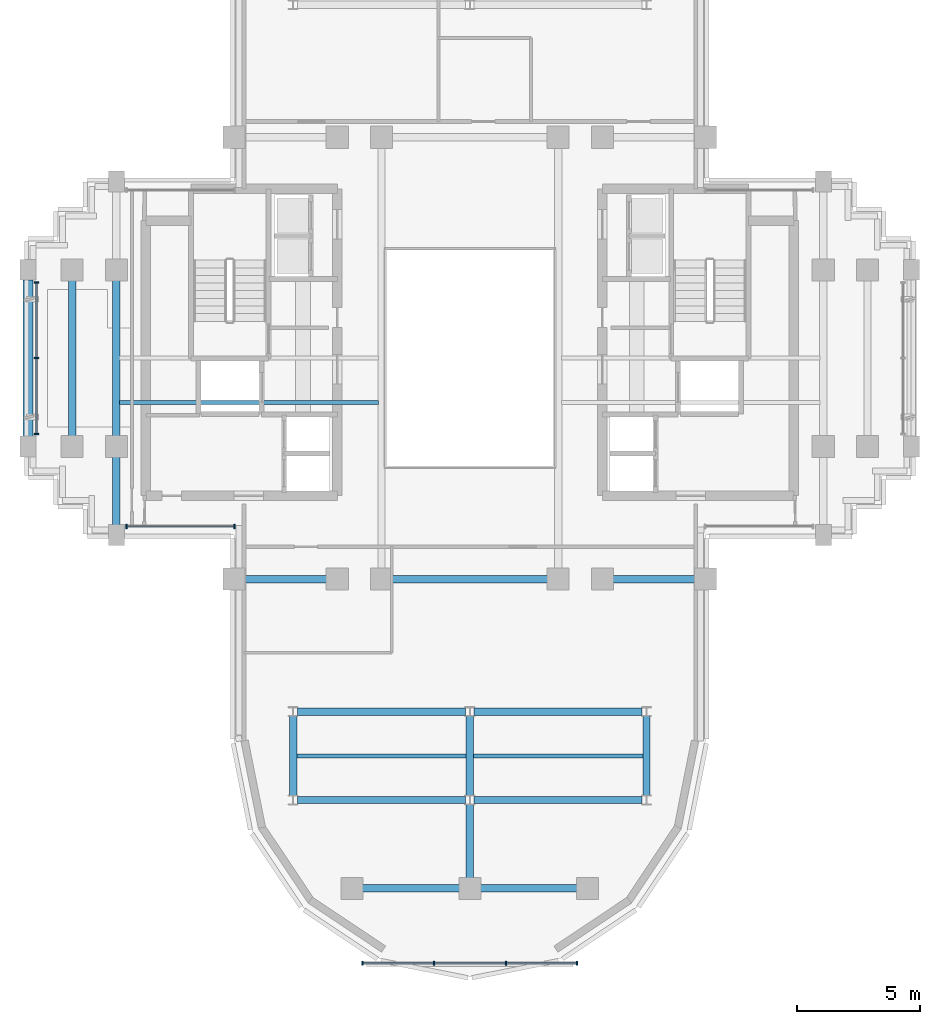
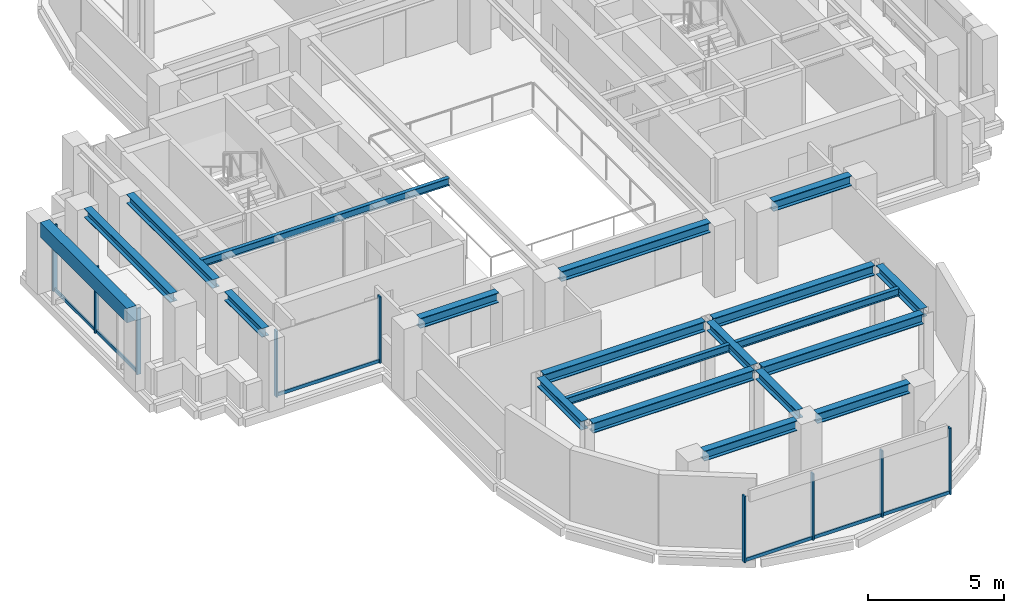
# One storey, part 2 of 12: 20 beams, 15 members, 3 elements without a shape of their own.
"""IFC4 building model written with IfcOpenShell, lengths in metres."""

from ifc_helpers import new_model, si_unit, direction, frame, origin, origin_2d, place, context, subcontext, project, spatial, rectangle, i_section, extrude, source, transform, mapped, material, material_profile, profile_set, type_object, element, aggregate, save


model = new_model("IFC4")

# Units and contexts
model_context = context("Model", 3, precision=1e-05, world=origin(), true_north=direction((0.0, 1.0)))
body_context = subcontext(model_context, "Body", "Model", "MODEL_VIEW")
ifc_project = project(units=[si_unit("LENGTHUNIT", "METRE"), si_unit("AREAUNIT", "SQUARE_METRE"), si_unit("VOLUMEUNIT", "CUBIC_METRE"), si_unit("PLANEANGLEUNIT", "RADIAN"), si_unit("MASSUNIT", "GRAM", prefix="KILO")], contexts=[model_context])

# Site, building, storey
site_placement = place(None, origin())
site = spatial("IfcSite", under=ifc_project, at=site_placement, CompositionType="ELEMENT")
building_placement = place(site_placement, origin())
building = spatial("IfcBuilding", under=site, at=building_placement, Name="Keilestroom Media Tower", CompositionType="ELEMENT")
storey_placement = place(building_placement, frame((0.0, 0.0, 177.39990234375)))
storey = spatial("IfcBuildingStorey", under=building, at=storey_placement, Name="L48", CompositionType="ELEMENT", Elevation=177.39990234375)

# Beams
ifc_material_1 = material(Name="Steel S355", Category="steel")
ifc_material_profile_1 = material_profile(ifc_material_1, i_section(OverallWidth=0.300048828125, OverallDepth=0.449951171875, WebThickness=0.011962890625, FlangeThickness=0.02587890625, at=origin_2d()), Name="HEB 450")
ifc_profile_set_1 = profile_set([ifc_material_profile_1], Name="Steel S355")
beam_type_1 = type_object("IfcBeamType", Name="Primary-Structural-Girder-HEB-450", PredefinedType="BEAM", material=ifc_profile_set_1)
shared_shape_1 = source(origin(), body_context, "Body", "SweptSolid", [
    extrude(i_section(OverallWidth=0.300048828125, OverallDepth=0.449951171875, WebThickness=0.011962890625, FlangeThickness=0.02587890625, at=origin_2d()), origin(), (0.0, 0.0, 1.0), 3.940185546875),
])
for number, where, z_axis, x_axis, name in (
    (1, (-4.3701171875, -21.60009765625, 2.97509765625), (1.0, 0.0, 0.0), (0.0, 1.0, 0.0), "L48 Beam BG-7 BM-L48-EW-001"),
    (2, (0.429931640625, -21.60009765625, 2.97509765625), (1.0, 0.0, 0.0), (0.0, 1.0, 0.0), "L48 Beam BG-7 BM-L48-EW-002"),
):
    element("IfcBeam", number, at=place(storey_placement, frame(where, z_axis=z_axis, x_axis=x_axis)), inside=storey, type_object=beam_type_1, Name=name, PredefinedType="BEAM", context=body_context, shape_type="MappedRepresentation", body=[
        mapped(shared_shape_1, transform((0.0, 0.0, 0.0), x_axis=(1.0, 0.0, 0.0), y_axis=(0.0, 1.0, 0.0), z_axis=(0.0, 0.0, 1.0), scale=1.0)),
    ])
shared_shape_2 = source(origin(), body_context, "Body", "SweptSolid", [
    extrude(i_section(OverallWidth=0.300048828125, OverallDepth=0.449951171875, WebThickness=0.011962890625, FlangeThickness=0.02587890625, at=origin_2d()), origin(), (0.0, 0.0, 1.0), 6.842041015625),
])
for number, where, z_axis, x_axis, name in (
    (3, (-7.02099609375, -18.0, 2.97509765625), (1.0, 0.0, 0.0), (0.0, 1.0, 0.0), "L48 Beam BG-7 BM-L48-EW-003"),
    (4, (0.178955078125, -18.0, 2.97509765625), (1.0, 0.0, 0.0), (0.0, 1.0, 0.0), "L48 Beam BG-7 BM-L48-EW-004"),
    (5, (-7.02099609375, -14.39990234375, 2.97509765625), (1.0, 0.0, 0.0), (0.0, 1.0, 0.0), "L48 Beam BG-7 BM-L48-EW-005"),
    (6, (0.178955078125, -14.39990234375, 2.97509765625), (1.0, 0.0, 0.0), (0.0, 1.0, 0.0), "L48 Beam BG-7 BM-L48-EW-006"),
):
    element("IfcBeam", number, at=place(storey_placement, frame(where, z_axis=z_axis, x_axis=x_axis)), inside=storey, type_object=beam_type_1, Name=name, PredefinedType="BEAM", context=body_context, shape_type="MappedRepresentation", body=[
        mapped(shared_shape_2, transform((0.0, 0.0, 0.0), x_axis=(1.0, 0.0, 0.0), y_axis=(0.0, 1.0, 0.0), z_axis=(0.0, 0.0, 1.0), scale=1.0)),
    ])
shared_shape_3 = source(origin(), body_context, "Body", "SweptSolid", [
    extrude(i_section(OverallWidth=0.300048828125, OverallDepth=0.449951171875, WebThickness=0.011962890625, FlangeThickness=0.02587890625, at=origin_2d()), origin(), (0.0, 0.0, 1.0), 3.33984375),
])
for number, where, z_axis, x_axis, name in (
    (7, (-9.169921875, -9.0, 2.97509765625), (1.0, 0.0, 0.0), (0.0, 1.0, 0.0), "L48 Beam BG-7 BM-L48-EW-007"),
    (8, (5.830078125, -9.0, 2.97509765625), (1.0, 0.0, 0.0), (0.0, 1.0, 0.0), "L48 Beam BG-7 BM-L48-EW-011"),
):
    element("IfcBeam", number, at=place(storey_placement, frame(where, z_axis=z_axis, x_axis=x_axis)), inside=storey, type_object=beam_type_1, Name=name, PredefinedType="BEAM", context=body_context, shape_type="MappedRepresentation", body=[
        mapped(shared_shape_3, transform((0.0, 0.0, 0.0), x_axis=(1.0, 0.0, 0.0), y_axis=(0.0, 1.0, 0.0), z_axis=(0.0, 0.0, 1.0), scale=1.0)),
    ])
shared_shape_4 = source(origin(), body_context, "Body", "SweptSolid", [
    extrude(i_section(OverallWidth=0.300048828125, OverallDepth=0.449951171875, WebThickness=0.011962890625, FlangeThickness=0.02587890625, at=origin_2d()), origin(), (0.0, 0.0, 1.0), 6.33984375),
])
beam_1_placement = place(storey_placement, frame((-3.169921875, -9.0, 2.97509765625), z_axis=(1.0, 0.0, 0.0), x_axis=(0.0, 1.0, 0.0)))
element("IfcBeam", 9, at=beam_1_placement, inside=storey, type_object=beam_type_1, Name="L48 Beam BG-7 BM-L48-EW-009", PredefinedType="BEAM", context=body_context, shape_type="MappedRepresentation", body=[
    mapped(shared_shape_4, transform((0.0, 0.0, 0.0), x_axis=(1.0, 0.0, 0.0), y_axis=(0.0, 1.0, 0.0), z_axis=(0.0, 0.0, 1.0), scale=1.0)),
])
ifc_material_2 = material(Name="Precast concrete C40/50", Category="concrete")
ifc_material_profile_2 = material_profile(ifc_material_2, rectangle(XDim=0.39990234375, YDim=0.64990234375, at=origin_2d()), Name="PC 400x650")
ifc_profile_set_2 = profile_set([ifc_material_profile_2], Name="Precast concrete C40/50")
beam_type_2 = type_object("IfcBeamType", Name="Perimeter-Spandrel-Beam-PC-400x650", PredefinedType="SPANDREL", material=ifc_profile_set_2)
shared_shape_5 = source(origin(), body_context, "Body", "SweptSolid", [
    extrude(rectangle(XDim=0.39990234375, YDim=0.64990234375, at=origin_2d()), origin(), (0.0, 0.0, 1.0), 6.39013671875),
])
beam_2_placement = place(storey_placement, frame((-18.0, -3.195068359375, 2.875), z_axis=(0.0, 1.0, 0.0), x_axis=(-1.0, 0.0, 0.0)))
element("IfcBeam", 10, at=beam_2_placement, inside=storey, type_object=beam_type_2, Name="L48 Beam SPB-2 BM-L48-NS-031", PredefinedType="SPANDREL", context=body_context, shape_type="MappedRepresentation", body=[
    mapped(shared_shape_5, transform((0.0, 0.0, 0.0), x_axis=(1.0, 0.0, 0.0), y_axis=(0.0, 1.0, 0.0), z_axis=(0.0, 0.0, 1.0), scale=1.0)),
])
ifc_material_profile_3 = material_profile(ifc_material_1, i_section(OverallWidth=0.300048828125, OverallDepth=0.39990234375, WebThickness=0.011474609375, FlangeThickness=0.02392578125, at=origin_2d()), Name="HEB 400")
ifc_profile_set_3 = profile_set([ifc_material_profile_3], Name="Steel S355")
beam_type_3 = type_object("IfcBeamType", Name="Primary-Structural-Girder-HEB-400", PredefinedType="BEAM", material=ifc_profile_set_3)
shared_shape_6 = source(origin(), body_context, "Body", "SweptSolid", [
    extrude(i_section(OverallWidth=0.300048828125, OverallDepth=0.39990234375, WebThickness=0.011474609375, FlangeThickness=0.02392578125, at=origin_2d()), origin(), (0.0, 0.0, 1.0), 6.33984375),
])
for number, where, z_axis, x_axis, name in (
    (11, (-16.199951171875, -3.169921875, 3.0), (0.0, 1.0, 0.0), (-1.0, 0.0, 0.0), "L48 Beam BG-8 BM-L48-NS-032"),
    (12, (-14.39990234375, -3.169921875, 3.0), (0.0, 1.0, 0.0), (-1.0, 0.0, 0.0), "L48 Beam BG-8 BM-L48-NS-034"),
):
    element("IfcBeam", number, at=place(storey_placement, frame(where, z_axis=z_axis, x_axis=x_axis)), inside=storey, type_object=beam_type_3, Name=name, PredefinedType="BEAM", context=body_context, shape_type="MappedRepresentation", body=[
        mapped(shared_shape_6, transform((0.0, 0.0, 0.0), x_axis=(1.0, 0.0, 0.0), y_axis=(0.0, 1.0, 0.0), z_axis=(0.0, 0.0, 1.0), scale=1.0)),
    ])
shared_shape_7 = source(origin(), body_context, "Body", "SweptSolid", [
    extrude(i_section(OverallWidth=0.300048828125, OverallDepth=0.39990234375, WebThickness=0.011474609375, FlangeThickness=0.02392578125, at=origin_2d()), origin(), (0.0, 0.0, 1.0), 2.764892578125),
])
beam_3_placement = place(storey_placement, frame((-14.39990234375, -6.794921875, 3.0), z_axis=(0.0, 1.0, 0.0), x_axis=(-1.0, 0.0, 0.0)))
element("IfcBeam", 13, at=beam_3_placement, inside=storey, type_object=beam_type_3, Name="L48 Beam BG-8 BM-L48-NS-033", PredefinedType="BEAM", context=body_context, shape_type="MappedRepresentation", body=[
    mapped(shared_shape_7, transform((0.0, 0.0, 0.0), x_axis=(1.0, 0.0, 0.0), y_axis=(0.0, 1.0, 0.0), z_axis=(0.0, 0.0, 1.0), scale=1.0)),
])
shared_shape_8 = source(origin(), body_context, "Body", "SweptSolid", [
    extrude(i_section(OverallWidth=0.300048828125, OverallDepth=0.39990234375, WebThickness=0.011474609375, FlangeThickness=0.02392578125, at=origin_2d()), origin(), (0.0, 0.0, 1.0), 3.2529296875),
])
for number, where, z_axis, x_axis, name in (
    (14, (-7.199951171875, -17.826416015625, 3.0), (0.0, 1.0, 0.0), (-1.0, 0.0, 0.0), "L48 Beam BG-8 BM-L48-NS-037"),
    (15, (0.0, -17.826416015625, 3.0), (0.0, 1.0, 0.0), (-1.0, 0.0, 0.0), "L48 Beam BG-8 BM-L48-NS-042"),
    (16, (7.199951171875, -17.826416015625, 3.0), (0.0, 1.0, 0.0), (-1.0, 0.0, 0.0), "L48 Beam BG-8 BM-L48-NS-047"),
):
    element("IfcBeam", number, at=place(storey_placement, frame(where, z_axis=z_axis, x_axis=x_axis)), inside=storey, type_object=beam_type_3, Name=name, PredefinedType="BEAM", context=body_context, shape_type="MappedRepresentation", body=[
        mapped(shared_shape_8, transform((0.0, 0.0, 0.0), x_axis=(1.0, 0.0, 0.0), y_axis=(0.0, 1.0, 0.0), z_axis=(0.0, 0.0, 1.0), scale=1.0)),
    ])
shared_shape_9 = source(origin(), body_context, "Body", "SweptSolid", [
    extrude(i_section(OverallWidth=0.300048828125, OverallDepth=0.39990234375, WebThickness=0.011474609375, FlangeThickness=0.02392578125, at=origin_2d()), origin(), (0.0, 0.0, 1.0), 2.996337890625),
])
beam_4_placement = place(storey_placement, frame((0.0, -21.169921875, 3.0), z_axis=(0.0, 1.0, 0.0), x_axis=(-1.0, 0.0, 0.0)))
element("IfcBeam", 17, at=beam_4_placement, inside=storey, type_object=beam_type_3, Name="L48 Beam BG-8 BM-L48-NS-041", PredefinedType="BEAM", context=body_context, shape_type="MappedRepresentation", body=[
    mapped(shared_shape_9, transform((0.0, 0.0, 0.0), x_axis=(1.0, 0.0, 0.0), y_axis=(0.0, 1.0, 0.0), z_axis=(0.0, 0.0, 1.0), scale=1.0)),
])
ifc_material_profile_4 = material_profile(ifc_material_1, i_section(OverallWidth=0.159912109375, OverallDepth=0.330078125, WebThickness=0.007568359375, FlangeThickness=0.011474609375, at=origin_2d()), Name="IPE 330")
ifc_profile_set_4 = profile_set([ifc_material_profile_4], Name="Steel S355")
beam_type_4 = type_object("IfcBeamType", Name="Secondary-Floor-Joist-IPE-330", PredefinedType="JOIST", material=ifc_profile_set_4)
shared_shape_10 = source(origin(), body_context, "Body", "SweptSolid", [
    extrude(i_section(OverallWidth=0.159912109375, OverallDepth=0.330078125, WebThickness=0.007568359375, FlangeThickness=0.011474609375, at=origin_2d()), origin(), (0.0, 0.0, 1.0), 6.940185546875),
])
for number, where, z_axis, x_axis, name in (
    (18, (-7.070068359375, -16.199951171875, 3.03515625), (1.0, 0.0, 0.0), (0.0, 1.0, 0.0), "L48 Beam BJ-6 JST-L48-055"),
    (19, (0.1298828125, -16.199951171875, 3.03515625), (1.0, 0.0, 0.0), (0.0, 1.0, 0.0), "L48 Beam BJ-6 JST-L48-056"),
):
    element("IfcBeam", number, at=place(storey_placement, frame(where, z_axis=z_axis, x_axis=x_axis)), inside=storey, type_object=beam_type_4, Name=name, PredefinedType="JOIST", context=body_context, shape_type="MappedRepresentation", body=[
        mapped(shared_shape_10, transform((0.0, 0.0, 0.0), x_axis=(1.0, 0.0, 0.0), y_axis=(0.0, 1.0, 0.0), z_axis=(0.0, 0.0, 1.0), scale=1.0)),
    ])
shared_shape_11 = source(origin(), body_context, "Body", "SweptSolid", [
    extrude(i_section(OverallWidth=0.159912109375, OverallDepth=0.330078125, WebThickness=0.007568359375, FlangeThickness=0.011474609375, at=origin_2d()), origin(), (0.0, 0.0, 1.0), 10.5400390625),
])
beam_5_placement = place(storey_placement, frame((-14.27001953125, -1.800048828125, 3.03515625), z_axis=(1.0, 0.0, 0.0), x_axis=(0.0, 1.0, 0.0)))
element("IfcBeam", 20, at=beam_5_placement, inside=storey, type_object=beam_type_4, Name="L48 Beam BJ-6 JST-L48-057", PredefinedType="JOIST", context=body_context, shape_type="MappedRepresentation", body=[
    mapped(shared_shape_11, transform((0.0, 0.0, 0.0), x_axis=(1.0, 0.0, 0.0), y_axis=(0.0, 1.0, 0.0), z_axis=(0.0, 0.0, 1.0), scale=1.0)),
])

# Curtain wall, members
ifc_material_3 = material(Name="Anodised Aluminium Alloy", Category="aluminium")
curtain_wall_type_1 = type_object("IfcCurtainWallType", Name="Unitised-Curtain-Wall-CW-6", PredefinedType="NOTDEFINED", material=ifc_material_3)
curtain_wall_1_placement = place(storey_placement, origin())
curtain_wall_1 = element("IfcCurtainWall", 21, at=curtain_wall_1_placement, inside=storey, type_object=curtain_wall_type_1, Name="L48 Curtain Wall CW-6 CW-L48-LS-1", PredefinedType="NOTDEFINED")
ifc_material_profile_5 = material_profile(ifc_material_3, rectangle(XDim=0.06494140625, YDim=0.179931640625, at=origin_2d()), Name="ALU MULLION 65x180")
ifc_profile_set_5 = profile_set([ifc_material_profile_5], Name="Anodised Aluminium Alloy")
member_type_1 = type_object("IfcMemberType", Name="Curtain-Wall-Mullion-CW-6", PredefinedType="MULLION", material=ifc_profile_set_5)
shared_shape_12 = source(origin(), body_context, "Body", "SweptSolid", [
    extrude(rectangle(XDim=0.06494140625, YDim=0.179931640625, at=origin_2d()), origin(), (0.0, 0.0, 1.0), 2.97998046875),
])
member_1_placement = place(storey_placement, frame((-4.367431640625, -24.64990234375, 0.0), z_axis=(0.0, 0.0, 1.0), x_axis=(1.0, 0.0, 0.0)))
member_1 = element("IfcMember", 22, at=member_1_placement, type_object=member_type_1, Name="CW-6 Mullion 00", PredefinedType="MULLION", context=body_context, shape_type="MappedRepresentation", body=[
    mapped(shared_shape_12, transform((0.0, 0.0, 0.0), x_axis=(1.0, 0.0, 0.0), y_axis=(0.0, 1.0, 0.0), z_axis=(0.0, 0.0, 1.0), scale=1.0)),
])
member_2_placement = place(storey_placement, frame((-1.466796875, -24.64990234375, 0.0), z_axis=(0.0, 0.0, 1.0), x_axis=(1.0, 0.0, 0.0)))
member_2 = element("IfcMember", 23, at=member_2_placement, type_object=member_type_1, Name="CW-6 Mullion 01", PredefinedType="MULLION", context=body_context, shape_type="MappedRepresentation", body=[
    mapped(shared_shape_12, transform((0.0, 0.0, 0.0), x_axis=(1.0, 0.0, 0.0), y_axis=(0.0, 1.0, 0.0), z_axis=(0.0, 0.0, 1.0), scale=1.0)),
])
member_3_placement = place(storey_placement, frame((1.466796875, -24.64990234375, 0.0), z_axis=(0.0, 0.0, 1.0), x_axis=(1.0, 0.0, 0.0)))
member_3 = element("IfcMember", 24, at=member_3_placement, type_object=member_type_1, Name="CW-6 Mullion 02", PredefinedType="MULLION", context=body_context, shape_type="MappedRepresentation", body=[
    mapped(shared_shape_12, transform((0.0, 0.0, 0.0), x_axis=(1.0, 0.0, 0.0), y_axis=(0.0, 1.0, 0.0), z_axis=(0.0, 0.0, 1.0), scale=1.0)),
])
member_4_placement = place(storey_placement, frame((4.367431640625, -24.64990234375, 0.0), z_axis=(0.0, 0.0, 1.0), x_axis=(1.0, 0.0, 0.0)))
member_4 = element("IfcMember", 25, at=member_4_placement, type_object=member_type_1, Name="CW-6 Mullion 03", PredefinedType="MULLION", context=body_context, shape_type="MappedRepresentation", body=[
    mapped(shared_shape_12, transform((0.0, 0.0, 0.0), x_axis=(1.0, 0.0, 0.0), y_axis=(0.0, 1.0, 0.0), z_axis=(0.0, 0.0, 1.0), scale=1.0)),
])
ifc_material_profile_6 = material_profile(ifc_material_3, rectangle(XDim=0.06494140625, YDim=0.14990234375, at=origin_2d()), Name="ALU TRANSOM 65x150")
ifc_profile_set_6 = profile_set([ifc_material_profile_6], Name="Anodised Aluminium Alloy")
member_type_2 = type_object("IfcMemberType", Name="Curtain-Wall-Transom-CW-6", PredefinedType="USERDEFINED", material=ifc_profile_set_6)
shared_shape_13 = source(origin(), body_context, "Body", "SweptSolid", [
    extrude(rectangle(XDim=0.06494140625, YDim=0.14990234375, at=origin_2d()), origin(), (0.0, 0.0, 1.0), 2.839599609375),
])
member_5_placement = place(storey_placement, frame((-4.3369140625, -24.64990234375, 0.0751953125), z_axis=(1.0, 0.0, 0.0), x_axis=(0.0, 1.0, 0.0)))
member_5 = element("IfcMember", 26, at=member_5_placement, type_object=member_type_2, Name="CW-6 Transom 00.1", ObjectType="TRANSOM", PredefinedType="USERDEFINED", context=body_context, shape_type="MappedRepresentation", body=[
    mapped(shared_shape_13, transform((0.0, 0.0, 0.0), x_axis=(1.0, 0.0, 0.0), y_axis=(0.0, 1.0, 0.0), z_axis=(0.0, 0.0, 1.0), scale=1.0)),
])
member_6_placement = place(storey_placement, frame((1.497314453125, -24.64990234375, 0.0751953125), z_axis=(1.0, 0.0, 0.0), x_axis=(0.0, 1.0, 0.0)))
member_6 = element("IfcMember", 27, at=member_6_placement, type_object=member_type_2, Name="CW-6 Transom 02.1", ObjectType="TRANSOM", PredefinedType="USERDEFINED", context=body_context, shape_type="MappedRepresentation", body=[
    mapped(shared_shape_13, transform((0.0, 0.0, 0.0), x_axis=(1.0, 0.0, 0.0), y_axis=(0.0, 1.0, 0.0), z_axis=(0.0, 0.0, 1.0), scale=1.0)),
])
shared_shape_14 = source(origin(), body_context, "Body", "SweptSolid", [
    extrude(rectangle(XDim=0.06494140625, YDim=0.14990234375, at=origin_2d()), origin(), (0.0, 0.0, 1.0), 2.87255859375),
])
member_7_placement = place(storey_placement, frame((-1.436279296875, -24.64990234375, 0.0751953125), z_axis=(1.0, 0.0, 0.0), x_axis=(0.0, 1.0, 0.0)))
member_7 = element("IfcMember", 28, at=member_7_placement, type_object=member_type_2, Name="CW-6 Transom 01.1", ObjectType="TRANSOM", PredefinedType="USERDEFINED", context=body_context, shape_type="MappedRepresentation", body=[
    mapped(shared_shape_14, transform((0.0, 0.0, 0.0), x_axis=(1.0, 0.0, 0.0), y_axis=(0.0, 1.0, 0.0), z_axis=(0.0, 0.0, 1.0), scale=1.0)),
])
aggregate(curtain_wall_1, [member_1, member_2, member_3, member_4, member_5, member_7, member_6])

curtain_wall_type_2 = type_object("IfcCurtainWallType", Name="Unitised-Curtain-Wall-CW-3", PredefinedType="NOTDEFINED", material=ifc_material_3)
curtain_wall_2_placement = place(storey_placement, origin())
curtain_wall_2 = element("IfcCurtainWall", 29, at=curtain_wall_2_placement, inside=storey, type_object=curtain_wall_type_2, Name="L48 Curtain Wall CW-3 CW-L48-W-1", PredefinedType="NOTDEFINED")
ifc_material_profile_7 = material_profile(ifc_material_3, rectangle(XDim=0.06494140625, YDim=0.179931640625, at=origin_2d()), Name="ALU MULLION 65x180")
ifc_profile_set_7 = profile_set([ifc_material_profile_7], Name="Anodised Aluminium Alloy")
member_type_3 = type_object("IfcMemberType", Name="Curtain-Wall-Mullion-CW-3", PredefinedType="MULLION", material=ifc_profile_set_7)
shared_shape_15 = source(origin(), body_context, "Body", "SweptSolid", [
    extrude(rectangle(XDim=0.06494140625, YDim=0.179931640625, at=origin_2d()), origin(), (0.0, 0.0, 1.0), 2.97998046875),
])
member_8_placement = place(storey_placement, frame((-17.64990234375, -3.08251953125, 0.0), z_axis=(0.0, 0.0, 1.0), x_axis=(0.0, 1.0, 0.0)))
member_8 = element("IfcMember", 30, at=member_8_placement, type_object=member_type_3, Name="CW-3 Mullion 00", PredefinedType="MULLION", context=body_context, shape_type="MappedRepresentation", body=[
    mapped(shared_shape_15, transform((0.0, 0.0, 0.0), x_axis=(1.0, 0.0, 0.0), y_axis=(0.0, 1.0, 0.0), z_axis=(0.0, 0.0, 1.0), scale=1.0)),
])
member_9_placement = place(storey_placement, frame((-17.64990234375, 0.0, 0.0), z_axis=(0.0, 0.0, 1.0), x_axis=(0.0, 1.0, 0.0)))
member_9 = element("IfcMember", 31, at=member_9_placement, type_object=member_type_3, Name="CW-3 Mullion 01", PredefinedType="MULLION", context=body_context, shape_type="MappedRepresentation", body=[
    mapped(shared_shape_15, transform((0.0, 0.0, 0.0), x_axis=(1.0, 0.0, 0.0), y_axis=(0.0, 1.0, 0.0), z_axis=(0.0, 0.0, 1.0), scale=1.0)),
])
member_10_placement = place(storey_placement, frame((-17.64990234375, 3.08251953125, 0.0), z_axis=(0.0, 0.0, 1.0), x_axis=(0.0, 1.0, 0.0)))
member_10 = element("IfcMember", 32, at=member_10_placement, type_object=member_type_3, Name="CW-3 Mullion 02", PredefinedType="MULLION", context=body_context, shape_type="MappedRepresentation", body=[
    mapped(shared_shape_15, transform((0.0, 0.0, 0.0), x_axis=(1.0, 0.0, 0.0), y_axis=(0.0, 1.0, 0.0), z_axis=(0.0, 0.0, 1.0), scale=1.0)),
])

curtain_wall_3_placement = place(storey_placement, origin())
curtain_wall_3 = element("IfcCurtainWall", 33, at=curtain_wall_3_placement, inside=storey, type_object=curtain_wall_type_2, Name="L48 Curtain Wall CW-3 CW-L48-SW-1", PredefinedType="NOTDEFINED")
member_11_placement = place(storey_placement, frame((-13.982421875, -6.85009765625, 0.0), z_axis=(0.0, 0.0, 1.0), x_axis=(1.0, 0.0, 0.0)))
member_11 = element("IfcMember", 34, at=member_11_placement, type_object=member_type_3, Name="CW-3 Mullion 00", PredefinedType="MULLION", context=body_context, shape_type="MappedRepresentation", body=[
    mapped(shared_shape_15, transform((0.0, 0.0, 0.0), x_axis=(1.0, 0.0, 0.0), y_axis=(0.0, 1.0, 0.0), z_axis=(0.0, 0.0, 1.0), scale=1.0)),
])
member_12_placement = place(storey_placement, frame((-9.58251953125, -6.85009765625, 0.0), z_axis=(0.0, 0.0, 1.0), x_axis=(1.0, 0.0, 0.0)))
member_12 = element("IfcMember", 35, at=member_12_placement, type_object=member_type_3, Name="CW-3 Mullion 01", PredefinedType="MULLION", context=body_context, shape_type="MappedRepresentation", body=[
    mapped(shared_shape_15, transform((0.0, 0.0, 0.0), x_axis=(1.0, 0.0, 0.0), y_axis=(0.0, 1.0, 0.0), z_axis=(0.0, 0.0, 1.0), scale=1.0)),
])
ifc_material_profile_8 = material_profile(ifc_material_3, rectangle(XDim=0.06494140625, YDim=0.14990234375, at=origin_2d()), Name="ALU TRANSOM 65x150")
ifc_profile_set_8 = profile_set([ifc_material_profile_8], Name="Anodised Aluminium Alloy")
member_type_4 = type_object("IfcMemberType", Name="Curtain-Wall-Transom-CW-3", PredefinedType="USERDEFINED", material=ifc_profile_set_8)
shared_shape_16 = source(origin(), body_context, "Body", "SweptSolid", [
    extrude(rectangle(XDim=0.06494140625, YDim=0.14990234375, at=origin_2d()), origin(), (0.0, 0.0, 1.0), 4.3388671875),
])
member_13_placement = place(storey_placement, frame((-13.951904296875, -6.85009765625, 0.0751953125), z_axis=(1.0, 0.0, 0.0), x_axis=(0.0, 1.0, 0.0)))
member_13 = element("IfcMember", 36, at=member_13_placement, type_object=member_type_4, Name="CW-3 Transom 00.1", ObjectType="TRANSOM", PredefinedType="USERDEFINED", context=body_context, shape_type="MappedRepresentation", body=[
    mapped(shared_shape_16, transform((0.0, 0.0, 0.0), x_axis=(1.0, 0.0, 0.0), y_axis=(0.0, 1.0, 0.0), z_axis=(0.0, 0.0, 1.0), scale=1.0)),
])
aggregate(curtain_wall_3, [member_11, member_12, member_13])

# Member
shared_shape_17 = source(origin(), body_context, "Body", "SweptSolid", [
    extrude(rectangle(XDim=0.06494140625, YDim=0.14990234375, at=origin_2d()), origin(), (0.0, 0.0, 1.0), 3.021484375),
])
member_14_placement = place(storey_placement, frame((-17.64990234375, -3.052001953125, 0.0751953125), z_axis=(0.0, 1.0, 0.0), x_axis=(-1.0, 0.0, 0.0)))
member_14 = element("IfcMember", 37, at=member_14_placement, type_object=member_type_4, Name="CW-3 Transom 00.1", ObjectType="TRANSOM", PredefinedType="USERDEFINED", context=body_context, shape_type="MappedRepresentation", body=[
    mapped(shared_shape_17, transform((0.0, 0.0, 0.0), x_axis=(1.0, 0.0, 0.0), y_axis=(0.0, 1.0, 0.0), z_axis=(0.0, 0.0, 1.0), scale=1.0)),
])

member_15_placement = place(storey_placement, frame((-17.64990234375, 0.030517578125, 0.0751953125), z_axis=(0.0, 1.0, 0.0), x_axis=(-1.0, 0.0, 0.0)))
member_15 = element("IfcMember", 38, at=member_15_placement, type_object=member_type_4, Name="CW-3 Transom 01.1", ObjectType="TRANSOM", PredefinedType="USERDEFINED", context=body_context, shape_type="MappedRepresentation", body=[
    mapped(shared_shape_17, transform((0.0, 0.0, 0.0), x_axis=(1.0, 0.0, 0.0), y_axis=(0.0, 1.0, 0.0), z_axis=(0.0, 0.0, 1.0), scale=1.0)),
])

aggregate(curtain_wall_2, [member_8, member_9, member_10, member_14, member_15])

save(model, "model.ifc")
